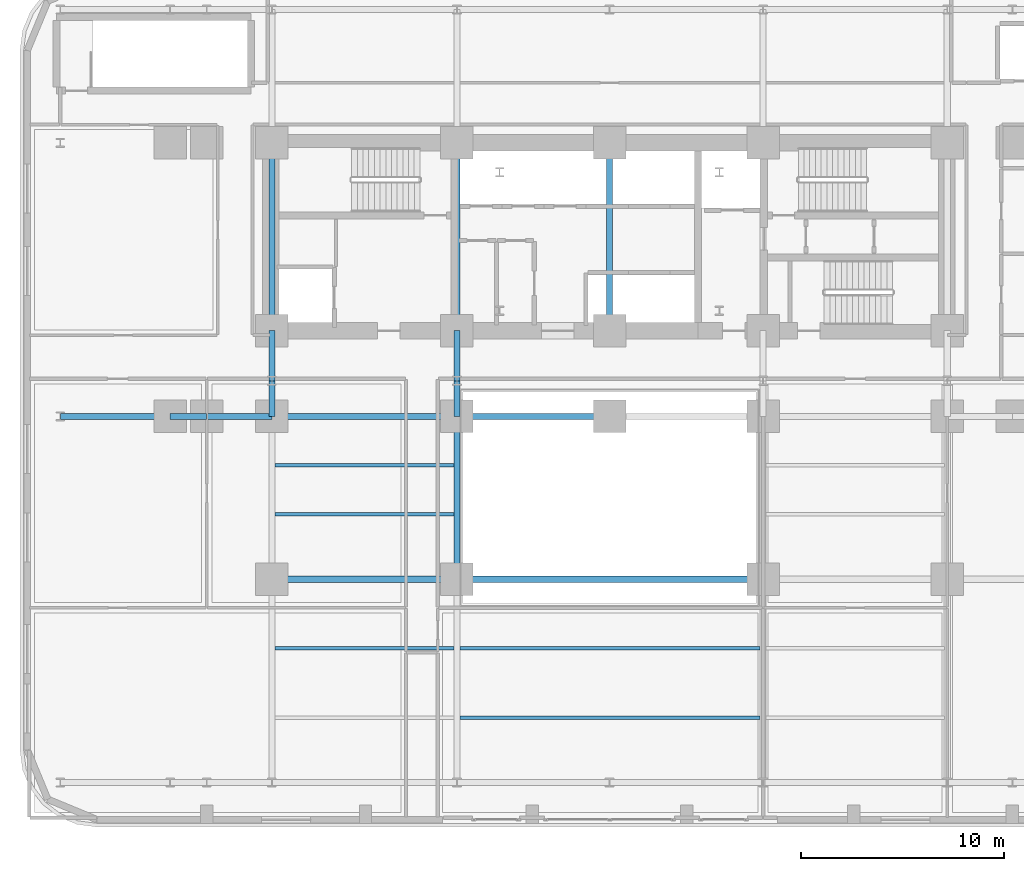
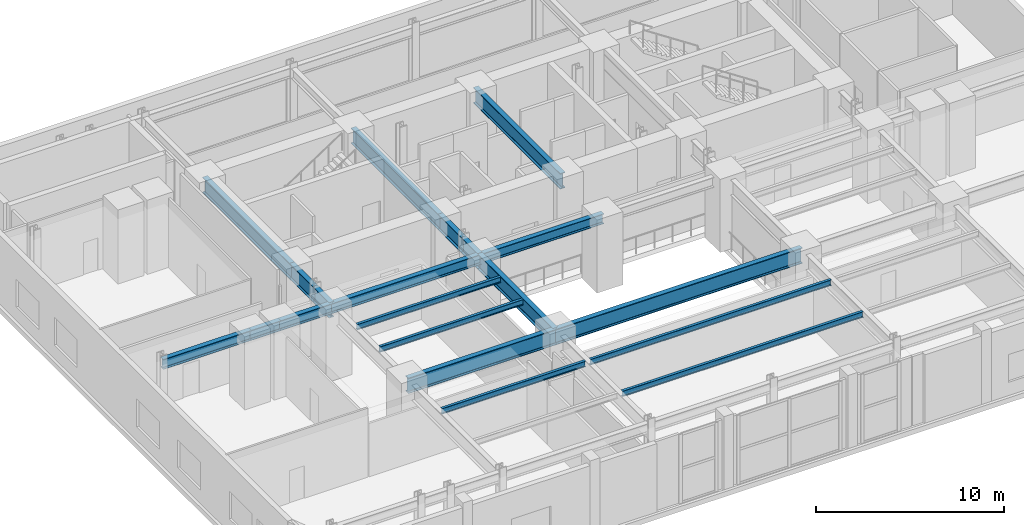
# One storey, part 3 of 15: 20 beams.
"""IFC4 building model written with IfcOpenShell, lengths in metres."""

from ifc_helpers import new_model, si_unit, direction, frame, origin, origin_2d, place, context, subcontext, project, spatial, i_section, extrude, material, material_profile, profile_set, type_object, element, save


model = new_model("IFC4")

# Units and contexts
model_context = context("Model", 3, precision=1e-05, world=origin(), true_north=direction((0.0, 1.0)))
body_context = subcontext(model_context, "Body", "Model", "MODEL_VIEW")
ifc_project = project(units=[si_unit("LENGTHUNIT", "METRE"), si_unit("AREAUNIT", "SQUARE_METRE"), si_unit("VOLUMEUNIT", "CUBIC_METRE"), si_unit("PLANEANGLEUNIT", "RADIAN"), si_unit("MASSUNIT", "GRAM", prefix="KILO")], contexts=[model_context])

# Site, building, storey
site_placement = place(None, origin())
site = spatial("IfcSite", under=ifc_project, at=site_placement, CompositionType="ELEMENT")
building_placement = place(site_placement, origin())
building = spatial("IfcBuilding", under=site, at=building_placement, Name="Zarnavel Station Tower", CompositionType="ELEMENT")
storey_placement = place(building_placement, frame((0.0, 0.0, 24.199951171875)))
storey = spatial("IfcBuildingStorey", under=building, at=storey_placement, Name="L06", CompositionType="ELEMENT", Elevation=24.199951171875)

# Beams
ifc_material_1 = material(Name="Steel S355J2", Category="steel")
ifc_material_profile_1 = material_profile(ifc_material_1, i_section(OverallWidth=0.300048828125, OverallDepth=0.64990234375, WebThickness=0.01611328125, FlangeThickness=0.031005859375, FilletRadius=0.027099609375, at=origin_2d()), Name="HEB650")
ifc_profile_set_1 = profile_set([ifc_material_profile_1], Name="Steel S355J2")
beam_type_1 = type_object("IfcBeamType", Name="FG_HEB650", PredefinedType="USERDEFINED", material=ifc_profile_set_1)
beam_1_placement = place(storey_placement, frame((1.800048828125, 23.60009765625, 4.155029296875), z_axis=(1.0, 0.0, 0.0), x_axis=(0.0, 1.0, 0.0)))
element("IfcBeam", 1, at=beam_1_placement, inside=storey, type_object=beam_type_1, Name="L06 EW Frame Girder 2-1", ObjectType="GIRDER", PredefinedType="USERDEFINED", context=body_context, shape_type="SweptSolid", body=[
    extrude(i_section(OverallWidth=0.300048828125, OverallDepth=0.64990234375, WebThickness=0.01611328125, FlangeThickness=0.031005859375, FilletRadius=0.027099609375, at=origin_2d()), origin(), (0.0, 0.0, 1.0), 5.39990234375),
])
beam_2_placement = place(storey_placement, frame((7.199951171875, 23.60009765625, 4.155029296875), z_axis=(1.0, 0.0, 0.0), x_axis=(0.0, 1.0, 0.0)))
element("IfcBeam", 2, at=beam_2_placement, inside=storey, type_object=beam_type_1, Name="L06 EW Frame Girder 2-2", ObjectType="GIRDER", PredefinedType="USERDEFINED", context=body_context, shape_type="SweptSolid", body=[
    extrude(i_section(OverallWidth=0.300048828125, OverallDepth=0.64990234375, WebThickness=0.01611328125, FlangeThickness=0.031005859375, FilletRadius=0.027099609375, at=origin_2d()), origin(), (0.0, 0.0, 1.0), 1.800048828125),
])
beam_3_placement = place(storey_placement, frame((9.0, 23.60009765625, 4.155029296875), z_axis=(1.0, 0.0, 0.0), x_axis=(0.0, 1.0, 0.0)))
element("IfcBeam", 3, at=beam_3_placement, inside=storey, type_object=beam_type_1, Name="L06 EW Frame Girder 2-3", ObjectType="GIRDER", PredefinedType="USERDEFINED", context=body_context, shape_type="SweptSolid", body=[
    extrude(i_section(OverallWidth=0.300048828125, OverallDepth=0.64990234375, WebThickness=0.01611328125, FlangeThickness=0.031005859375, FilletRadius=0.027099609375, at=origin_2d()), origin(), (0.0, 0.0, 1.0), 3.199951171875),
])
beam_4_placement = place(storey_placement, frame((12.199951171875, 23.60009765625, 4.155029296875), z_axis=(1.0, 0.0, 0.0), x_axis=(0.0, 1.0, 0.0)))
element("IfcBeam", 4, at=beam_4_placement, inside=storey, type_object=beam_type_1, Name="L06 EW Frame Girder 2-4", ObjectType="GIRDER", PredefinedType="USERDEFINED", context=body_context, shape_type="SweptSolid", body=[
    extrude(i_section(OverallWidth=0.300048828125, OverallDepth=0.64990234375, WebThickness=0.01611328125, FlangeThickness=0.031005859375, FilletRadius=0.027099609375, at=origin_2d()), origin(), (0.0, 0.0, 1.0), 9.10009765625),
])
beam_5_placement = place(storey_placement, frame((21.300048828125, 23.60009765625, 4.155029296875), z_axis=(1.0, 0.0, 0.0), x_axis=(0.0, 1.0, 0.0)))
element("IfcBeam", 5, at=beam_5_placement, inside=storey, type_object=beam_type_1, Name="L06 EW Frame Girder 2-5", ObjectType="GIRDER", PredefinedType="USERDEFINED", context=body_context, shape_type="SweptSolid", body=[
    extrude(i_section(OverallWidth=0.300048828125, OverallDepth=0.64990234375, WebThickness=0.01611328125, FlangeThickness=0.031005859375, FilletRadius=0.027099609375, at=origin_2d()), origin(), (0.0, 0.0, 1.0), 7.5),
])
ifc_material_2 = material(Name="Steel S355J2", Category="steel")
ifc_material_profile_2 = material_profile(ifc_material_2, i_section(OverallWidth=0.169921875, OverallDepth=0.360107421875, WebThickness=0.008056640625, FlangeThickness=0.0126953125, FilletRadius=0.01806640625, at=origin_2d()), Name="IPE360")
ifc_profile_set_2 = profile_set([ifc_material_profile_2], Name="Steel S355J2")
beam_type_2 = type_object("IfcBeamType", Name="FJ_IPE360", PredefinedType="JOIST", material=ifc_profile_set_2)
beam_6_placement = place(storey_placement, frame((21.445068359375, 8.800048828125, 4.300048828125), z_axis=(1.0, 0.0, 0.0), x_axis=(0.0, 1.0, 0.0)))
element("IfcBeam", 6, at=beam_6_placement, inside=storey, type_object=beam_type_2, Name="L06 Floor Joist M1", PredefinedType="JOIST", context=body_context, shape_type="SweptSolid", body=[
    extrude(i_section(OverallWidth=0.169921875, OverallDepth=0.360107421875, WebThickness=0.008056640625, FlangeThickness=0.0126953125, FilletRadius=0.01806640625, at=origin_2d()), origin(), (0.0, 0.0, 1.0), 14.760009765625),
])
beam_7_placement = place(storey_placement, frame((12.344970703125, 12.199951171875, 4.300048828125), z_axis=(1.0, 0.0, 0.0), x_axis=(0.0, 1.0, 0.0)))
element("IfcBeam", 7, at=beam_7_placement, inside=storey, type_object=beam_type_2, Name="L06 Floor Joist W2", PredefinedType="JOIST", context=body_context, shape_type="SweptSolid", body=[
    extrude(i_section(OverallWidth=0.169921875, OverallDepth=0.360107421875, WebThickness=0.008056640625, FlangeThickness=0.0126953125, FilletRadius=0.01806640625, at=origin_2d()), origin(), (0.0, 0.0, 1.0), 8.81005859375),
])
beam_8_placement = place(storey_placement, frame((21.445068359375, 12.199951171875, 4.300048828125), z_axis=(1.0, 0.0, 0.0), x_axis=(0.0, 1.0, 0.0)))
element("IfcBeam", 8, at=beam_8_placement, inside=storey, type_object=beam_type_2, Name="L06 Floor Joist M2", PredefinedType="JOIST", context=body_context, shape_type="SweptSolid", body=[
    extrude(i_section(OverallWidth=0.169921875, OverallDepth=0.360107421875, WebThickness=0.008056640625, FlangeThickness=0.0126953125, FilletRadius=0.01806640625, at=origin_2d()), origin(), (0.0, 0.0, 1.0), 14.760009765625),
])
for number, where, z_axis, x_axis, name in (
    (9, (12.344970703125, 18.800048828125, 4.300048828125), (1.0, 0.0, 0.0), (0.0, 1.0, 0.0), "L06 West Joist 3"),
    (10, (12.344970703125, 21.199951171875, 4.300048828125), (1.0, 0.0, 0.0), (0.0, 1.0, 0.0), "L06 West Joist 4"),
):
    element("IfcBeam", number, at=place(storey_placement, frame(where, z_axis=z_axis, x_axis=x_axis)), inside=storey, type_object=beam_type_2, Name=name, PredefinedType="JOIST", context=body_context, shape_type="SweptSolid", body=[
        extrude(i_section(OverallWidth=0.169921875, OverallDepth=0.360107421875, WebThickness=0.008056640625, FlangeThickness=0.0126953125, FilletRadius=0.01806640625, at=origin_2d()), origin(), (0.0, 0.0, 1.0), 8.81005859375),
    ])
ifc_material_3 = material(Name="Steel S460M", Category="steel")
ifc_material_profile_3 = material_profile(ifc_material_3, i_section(OverallWidth=0.302001953125, OverallDepth=1.008056640625, WebThickness=0.02099609375, FlangeThickness=0.0400390625, FilletRadius=0.030029296875, at=origin_2d()), Name="HEM1000")
ifc_profile_set_3 = profile_set([ifc_material_profile_3], Name="Steel S460M")
beam_type_3 = type_object("IfcBeamType", Name="TG_HEM1000", PredefinedType="USERDEFINED", material=ifc_profile_set_3)
for number, where, z_axis, x_axis, name in (
    (11, (12.199951171875, 27.820068359375, 3.97607421875), (0.0, 1.0, 0.0), (-1.0, 0.0, 0.0), "L06 Core Spine Coupling Girder 1"),
    (12, (21.300048828125, 27.820068359375, 3.97607421875), (0.0, 1.0, 0.0), (-1.0, 0.0, 0.0), "L06 Core Spine Coupling Girder 2"),
    (13, (28.800048828125, 27.820068359375, 3.97607421875), (0.0, 1.0, 0.0), (-1.0, 0.0, 0.0), "L06 Core Spine Coupling Girder 3"),
):
    element("IfcBeam", number, at=place(storey_placement, frame(where, z_axis=z_axis, x_axis=x_axis)), inside=storey, type_object=beam_type_3, Name=name, ObjectType="GIRDER", PredefinedType="USERDEFINED", context=body_context, shape_type="SweptSolid", body=[
        extrude(i_section(OverallWidth=0.302001953125, OverallDepth=1.008056640625, WebThickness=0.02099609375, FlangeThickness=0.0400390625, FilletRadius=0.030029296875, at=origin_2d()), origin(), (0.0, 0.0, 1.0), 9.22998046875),
    ])
beam_9_placement = place(storey_placement, frame((12.199951171875, 23.60009765625, 3.97607421875), z_axis=(0.0, 1.0, 0.0), x_axis=(-1.0, 0.0, 0.0)))
element("IfcBeam", 14, at=beam_9_placement, inside=storey, type_object=beam_type_3, Name="L06 NS Girder Spine 1", ObjectType="GIRDER", PredefinedType="USERDEFINED", context=body_context, shape_type="SweptSolid", body=[
    extrude(i_section(OverallWidth=0.302001953125, OverallDepth=1.008056640625, WebThickness=0.02099609375, FlangeThickness=0.0400390625, FilletRadius=0.030029296875, at=origin_2d()), origin(), (0.0, 0.0, 1.0), 1.75),
])
beam_10_placement = place(storey_placement, frame((12.199951171875, 25.35009765625, 3.97607421875), z_axis=(0.0, 1.0, 0.0), x_axis=(-1.0, 0.0, 0.0)))
element("IfcBeam", 15, at=beam_10_placement, inside=storey, type_object=beam_type_3, Name="L06 NS Girder Core 1", ObjectType="GIRDER", PredefinedType="USERDEFINED", context=body_context, shape_type="SweptSolid", body=[
    extrude(i_section(OverallWidth=0.302001953125, OverallDepth=1.008056640625, WebThickness=0.02099609375, FlangeThickness=0.0400390625, FilletRadius=0.030029296875, at=origin_2d()), origin(), (0.0, 0.0, 1.0), 2.469970703125),
])
beam_11_placement = place(storey_placement, frame((21.300048828125, 15.60009765625, 3.97607421875), z_axis=(0.0, 1.0, 0.0), x_axis=(-1.0, 0.0, 0.0)))
element("IfcBeam", 16, at=beam_11_placement, inside=storey, type_object=beam_type_3, Name="L06 NS Girder Mid 2", ObjectType="GIRDER", PredefinedType="USERDEFINED", context=body_context, shape_type="SweptSolid", body=[
    extrude(i_section(OverallWidth=0.302001953125, OverallDepth=1.008056640625, WebThickness=0.02099609375, FlangeThickness=0.0400390625, FilletRadius=0.030029296875, at=origin_2d()), origin(), (0.0, 0.0, 1.0), 8.0),
])
beam_12_placement = place(storey_placement, frame((21.300048828125, 23.60009765625, 3.97607421875), z_axis=(0.0, 1.0, 0.0), x_axis=(-1.0, 0.0, 0.0)))
element("IfcBeam", 17, at=beam_12_placement, inside=storey, type_object=beam_type_3, Name="L06 NS Girder Spine 2", ObjectType="GIRDER", PredefinedType="USERDEFINED", context=body_context, shape_type="SweptSolid", body=[
    extrude(i_section(OverallWidth=0.302001953125, OverallDepth=1.008056640625, WebThickness=0.02099609375, FlangeThickness=0.0400390625, FilletRadius=0.030029296875, at=origin_2d()), origin(), (0.0, 0.0, 1.0), 1.75),
])
beam_13_placement = place(storey_placement, frame((21.300048828125, 25.35009765625, 3.97607421875), z_axis=(0.0, 1.0, 0.0), x_axis=(-1.0, 0.0, 0.0)))
element("IfcBeam", 18, at=beam_13_placement, inside=storey, type_object=beam_type_3, Name="L06 NS Girder Core 2", ObjectType="GIRDER", PredefinedType="USERDEFINED", context=body_context, shape_type="SweptSolid", body=[
    extrude(i_section(OverallWidth=0.302001953125, OverallDepth=1.008056640625, WebThickness=0.02099609375, FlangeThickness=0.0400390625, FilletRadius=0.030029296875, at=origin_2d()), origin(), (0.0, 0.0, 1.0), 2.469970703125),
])
beam_14_placement = place(storey_placement, frame((12.199951171875, 15.60009765625, 3.97607421875), z_axis=(1.0, 0.0, 0.0), x_axis=(0.0, 1.0, 0.0)))
element("IfcBeam", 19, at=beam_14_placement, inside=storey, type_object=beam_type_3, Name="L06 West Hall Girder", ObjectType="GIRDER", PredefinedType="USERDEFINED", context=body_context, shape_type="SweptSolid", body=[
    extrude(i_section(OverallWidth=0.302001953125, OverallDepth=1.008056640625, WebThickness=0.02099609375, FlangeThickness=0.0400390625, FilletRadius=0.030029296875, at=origin_2d()), origin(), (0.0, 0.0, 1.0), 9.10009765625),
])
beam_15_placement = place(storey_placement, frame((21.300048828125, 15.60009765625, 3.97607421875), z_axis=(1.0, 0.0, 0.0), x_axis=(0.0, 1.0, 0.0)))
element("IfcBeam", 20, at=beam_15_placement, inside=storey, type_object=beam_type_3, Name="L06 Concourse Long-Span Girder", ObjectType="GIRDER", PredefinedType="USERDEFINED", context=body_context, shape_type="SweptSolid", body=[
    extrude(i_section(OverallWidth=0.302001953125, OverallDepth=1.008056640625, WebThickness=0.02099609375, FlangeThickness=0.0400390625, FilletRadius=0.030029296875, at=origin_2d()), origin(), (0.0, 0.0, 1.0), 15.050048828125),
])

save(model, "model.ifc")
